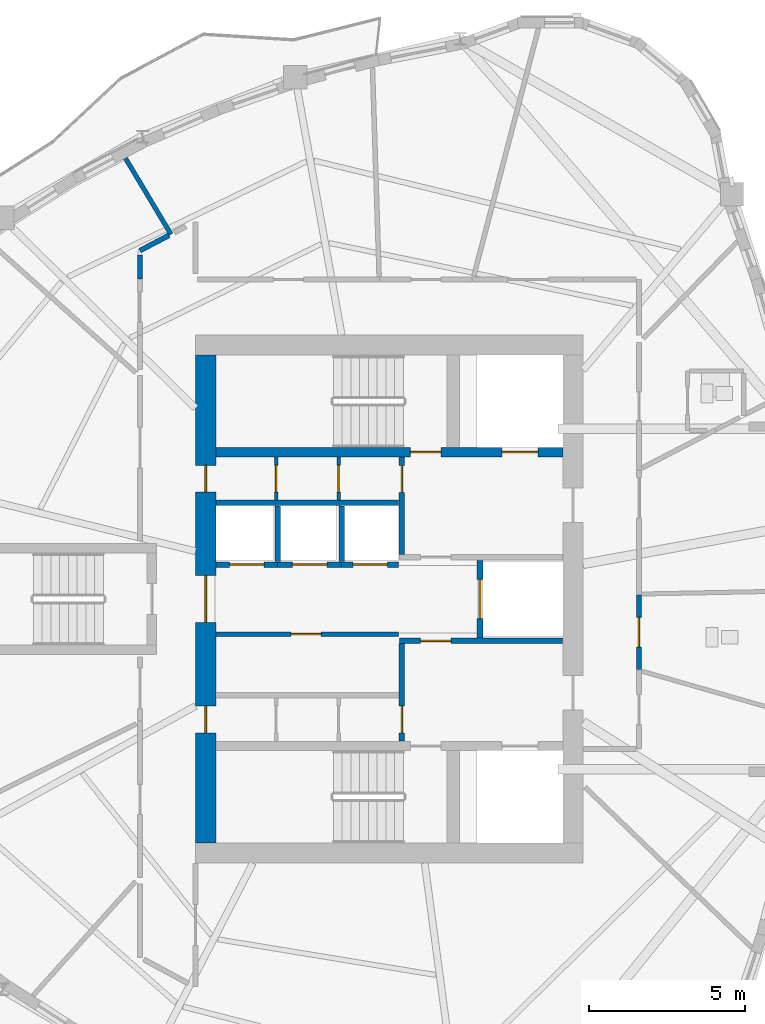
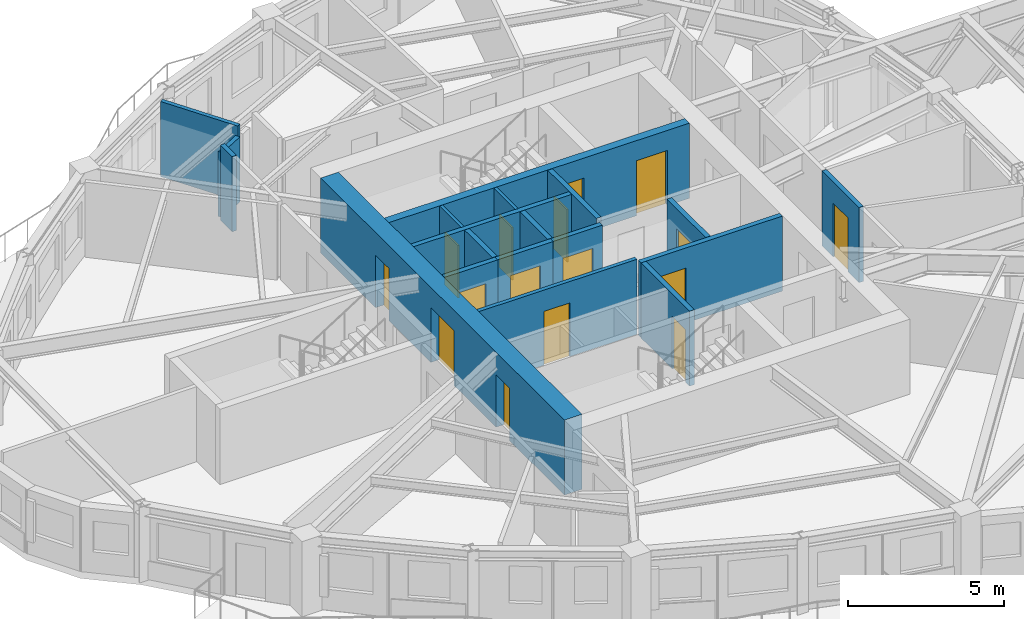
# One storey, part 6 of 13: 19 walls, 16 doors, 16 openings.
"""IFC4 building model written with IfcOpenShell, lengths in metres."""

from ifc_helpers import new_model, si_unit, direction, frame, frame_2d, origin, place, context, subcontext, project, spatial, rectangle, extrude, source, transform, mapped, material, layer, layer_set, type_object, element, fill, save


model = new_model("IFC4")

# Units and contexts
model_context = context("Model", 3, precision=1e-05, world=origin(), true_north=direction((0.0, 1.0)))
body_context = subcontext(model_context, "Body", "Model", "MODEL_VIEW")
ifc_project = project(units=[si_unit("LENGTHUNIT", "METRE"), si_unit("AREAUNIT", "SQUARE_METRE"), si_unit("VOLUMEUNIT", "CUBIC_METRE"), si_unit("PLANEANGLEUNIT", "RADIAN"), si_unit("MASSUNIT", "GRAM", prefix="KILO")], contexts=[model_context])

# Site, building, storey
site_placement = place(None, origin())
site = spatial("IfcSite", under=ifc_project, at=site_placement, CompositionType="ELEMENT")
building_placement = place(site_placement, origin())
building = spatial("IfcBuilding", under=site, at=building_placement, Name="Qafzar Sky-Pleat Residences", CompositionType="ELEMENT")
storey_placement = place(building_placement, frame((0.0, 0.0, 155.39990234375)))
storey = spatial("IfcBuildingStorey", under=building, at=storey_placement, Name="L46", CompositionType="ELEMENT", Elevation=155.39990234375)

# Wall, opening, door
ifc_material_1 = material(Name="Acoustic gypsum plasterboard partition", Category="gypsum")
ifc_layer_1 = layer(ifc_material_1, 0.159912109375)
ifc_layer_set_1 = layer_set([ifc_layer_1], Name="Acoustic gypsum plasterboard partition")
wall_type_1 = type_object("IfcWallType", Name="PART-COR-160", PredefinedType="PARTITIONING", material=ifc_layer_set_1)
wall_1_placement = place(storey_placement, frame((38.330078125, 26.12890625, 0.0), z_axis=(0.0, 0.0, 1.0), x_axis=(0.0, -1.0, 0.0)))
wall_1 = element("IfcWall", 1, at=wall_1_placement, inside=storey, type_object=wall_type_1, Name="L46 Partition Wall PART-L46-PW-012", PredefinedType="PARTITIONING", context=body_context, shape_type="SweptSolid", body=[
    extrude(rectangle(XDim=2.37890625, YDim=0.159912109375, at=frame_2d((1.189453125, 0.0))), origin(), (0.0, 0.0, 1.0), 2.93505859375),
])
opening_1_placement = place(wall_1_placement, frame((0.715087890625, 0.0, 0.0)))
opening_1 = element("IfcOpeningElement", 2, at=opening_1_placement, cuts=wall_1, Name="Opening ID-08", PredefinedType="OPENING", context=body_context, shape_type="SweptSolid", body=[
    extrude(rectangle(XDim=0.949951171875, YDim=2.10009765625, at=frame_2d((0.47509765625, 1.050048828125))), frame((0.0, 0.08984375, 0.0), z_axis=(0.0, -1.0, 0.0), x_axis=(1.0, 0.0, 0.0)), (0.0, 0.0, 1.0), 0.179931640625),
])
ifc_material_2 = material(Name="Timber-faced fire door", Category="wood")
door_type_1 = type_object("IfcDoorType", Name="DR-AWC-950", OperationType="NOTDEFINED", PredefinedType="DOOR", material=ifc_material_2)
shared_shape_1 = source(origin(), body_context, "Body", "SweptSolid", [
    extrude(rectangle(XDim=0.949951171875, YDim=2.10009765625, at=frame_2d((0.47509765625, 1.050048828125))), frame((0.0, 0.02490234375, 0.0), z_axis=(0.0, -1.0, 0.0), x_axis=(1.0, 0.0, 0.0)), (0.0, 0.0, 1.0), 0.050048828125),
])
door_1_placement = place(opening_1_placement, origin())
door_1 = element("IfcDoor", 3, at=door_1_placement, inside=storey, type_object=door_type_1, Name="L46 Accessible Shared Washroom Door", OperationType="SINGLE_SWING_RIGHT", OverallHeight=2.10009765625, OverallWidth=0.949951171875, PredefinedType="DOOR", context=body_context, shape_type="MappedRepresentation", body=[
    mapped(shared_shape_1, transform((0.0, 0.0, 0.0), x_axis=(1.0, 0.0, 0.0), y_axis=(0.0, 1.0, 0.0), z_axis=(0.0, 0.0, 1.0), scale=1.0)),
])
fill(opening_1, door_1)

# Walls
wall_2_placement = place(storey_placement, frame((22.3701171875, 37.14599609375, 0.0), z_axis=(0.0, 0.0, 1.0), x_axis=(0.884530854714, 0.46648168995, 0.0)))
element("IfcWall", 4, at=wall_2_placement, inside=storey, type_object=wall_type_1, Name="L46 Partition Wall PART-L46-PW-041", PredefinedType="PARTITIONING", context=body_context, shape_type="SweptSolid", body=[
    extrude(rectangle(XDim=1.053466796875, YDim=0.159912109375, at=frame_2d((0.52685546875, 0.0))), origin(), (0.0, 0.0, 1.0), 2.543212890625),
])
wall_3_placement = place(storey_placement, frame((22.3701171875, 36.2451171875, 0.0), z_axis=(0.0, 0.0, 1.0), x_axis=(0.0, 1.0, 0.0)))
element("IfcWall", 5, at=wall_3_placement, inside=storey, type_object=wall_type_1, Name="L46 Partition Wall PART-L46-PW-044", PredefinedType="PARTITIONING", context=body_context, shape_type="SweptSolid", body=[
    extrude(rectangle(XDim=0.76025390625, YDim=0.159912109375, at=frame_2d((0.380126953125, 0.0))), origin(), (0.0, 0.0, 1.0), 2.93505859375),
])

# Wall, opening, door
ifc_material_3 = material(Name="Concrete blockwork partition", Category="masonry")
ifc_layer_2 = layer(ifc_material_3, 0.179931640625)
ifc_layer_set_2 = layer_set([ifc_layer_2], Name="Concrete blockwork partition")
wall_type_2 = type_object("IfcWallType", Name="PART-SHAFT-180", PredefinedType="PARTITIONING", material=ifc_layer_set_2)
wall_4_placement = place(storey_placement, frame((30.75, 21.4599609375, 0.0), z_axis=(0.0, 0.0, 1.0), x_axis=(0.0, 1.0, 0.0)))
wall_4 = element("IfcWall", 6, at=wall_4_placement, inside=storey, type_object=wall_type_2, Name="L46 Partition Wall PART-L46-FFL1-W", PredefinedType="PARTITIONING", context=body_context, shape_type="SweptSolid", body=[
    extrude(rectangle(XDim=3.110107421875, YDim=0.179931640625, at=frame_2d((1.55517578125, 0.0))), origin(), (0.0, 0.0, 1.0), 2.93505859375),
])
opening_2_placement = place(wall_4_placement, frame((0.260009765625, 0.0, 0.0)))
opening_2 = element("IfcOpeningElement", 7, at=opening_2_placement, cuts=wall_4, Name="Opening ID-09", PredefinedType="OPENING", context=body_context, shape_type="SweptSolid", body=[
    extrude(rectangle(XDim=0.860107421875, YDim=2.050048828125, at=frame_2d((0.43017578125, 1.02490234375))), frame((0.0, 0.10009765625, 0.0), z_axis=(0.0, -1.0, 0.0), x_axis=(1.0, 0.0, 0.0)), (0.0, 0.0, 1.0), 0.199951171875),
])
door_type_2 = type_object("IfcDoorType", Name="DR-SVC-860", OperationType="NOTDEFINED", PredefinedType="DOOR", material=ifc_material_2)
shared_shape_2 = source(origin(), body_context, "Body", "SweptSolid", [
    extrude(rectangle(XDim=0.860107421875, YDim=2.050048828125, at=frame_2d((0.43017578125, 1.02490234375))), frame((0.0, 0.02490234375, 0.0), z_axis=(0.0, -1.0, 0.0), x_axis=(1.0, 0.0, 0.0)), (0.0, 0.0, 1.0), 0.050048828125),
])
door_2_placement = place(opening_2_placement, origin())
door_2 = element("IfcDoor", 8, at=door_2_placement, inside=storey, type_object=door_type_2, Name="L46 South Core Cupboard Door", OperationType="SINGLE_SWING_LEFT", OverallHeight=2.050048828125, OverallWidth=0.860107421875, PredefinedType="DOOR", context=body_context, shape_type="MappedRepresentation", body=[
    mapped(shared_shape_2, transform((0.0, 0.0, 0.0), x_axis=(1.0, 0.0, 0.0), y_axis=(0.0, 1.0, 0.0), z_axis=(0.0, 0.0, 1.0), scale=1.0)),
])
fill(opening_2, door_2)

wall_5_placement = place(storey_placement, frame((30.669921875, 24.659912109375, 0.0), z_axis=(0.0, 0.0, 1.0), x_axis=(1.0, 0.0, 0.0)))
wall_5 = element("IfcWall", 9, at=wall_5_placement, inside=storey, type_object=wall_type_2, Name="L46 Partition Wall PART-L46-FFL1-N", PredefinedType="PARTITIONING", context=body_context, shape_type="SweptSolid", body=[
    extrude(rectangle(XDim=5.219970703125, YDim=0.179931640625, at=frame_2d((2.60986328125, 0.0))), origin(), (0.0, 0.0, 1.0), 2.93505859375),
])
opening_3_placement = place(wall_5_placement, frame((0.679931640625, 0.0, 0.0)))
opening_3 = element("IfcOpeningElement", 10, at=opening_3_placement, cuts=wall_5, Name="Opening ID-01", PredefinedType="OPENING", context=body_context, shape_type="SweptSolid", body=[
    extrude(rectangle(XDim=0.97998046875, YDim=2.14990234375, at=frame_2d((0.489990234375, 1.074951171875))), frame((0.0, 0.10009765625, 0.0), z_axis=(0.0, -1.0, 0.0), x_axis=(1.0, 0.0, 0.0)), (0.0, 0.0, 1.0), 0.199951171875),
])
door_type_3 = type_object("IfcDoorType", Name="DR-STAIR-980", OperationType="NOTDEFINED", PredefinedType="DOOR", material=ifc_material_2)
shared_shape_3 = source(origin(), body_context, "Body", "SweptSolid", [
    extrude(rectangle(XDim=0.97998046875, YDim=2.14990234375, at=frame_2d((0.489990234375, 1.074951171875))), frame((0.0, 0.02490234375, 0.0), z_axis=(0.0, -1.0, 0.0), x_axis=(1.0, 0.0, 0.0)), (0.0, 0.0, 1.0), 0.050048828125),
])
door_3_placement = place(opening_3_placement, origin())
door_3 = element("IfcDoor", 11, at=door_3_placement, inside=storey, type_object=door_type_3, Name="L46 Lift Lobby to South Firefighting Lobby Door", OperationType="SINGLE_SWING_RIGHT", OverallHeight=2.14990234375, OverallWidth=0.97998046875, PredefinedType="DOOR", context=body_context, shape_type="MappedRepresentation", body=[
    mapped(shared_shape_3, transform((0.0, 0.0, 0.0), x_axis=(1.0, 0.0, 0.0), y_axis=(0.0, 1.0, 0.0), z_axis=(0.0, 0.0, 1.0), scale=1.0)),
])
fill(opening_3, door_3)

wall_6_placement = place(storey_placement, frame((30.75, 27.429931640625, 0.0), z_axis=(0.0, 0.0, 1.0), x_axis=(0.0, 1.0, 0.0)))
wall_6 = element("IfcWall", 12, at=wall_6_placement, inside=storey, type_object=wall_type_2, Name="L46 Partition Wall PART-L46-FFL2-W", PredefinedType="PARTITIONING", context=body_context, shape_type="SweptSolid", body=[
    extrude(rectangle(XDim=3.110107421875, YDim=0.179931640625, at=frame_2d((1.55517578125, 0.0))), origin(), (0.0, 0.0, 1.0), 2.93505859375),
])
opening_4_placement = place(wall_6_placement, frame((1.97998046875, 0.0, 0.0)))
opening_4 = element("IfcOpeningElement", 13, at=opening_4_placement, cuts=wall_6, Name="Opening ID-09", PredefinedType="OPENING", context=body_context, shape_type="SweptSolid", body=[
    extrude(rectangle(XDim=0.860107421875, YDim=2.050048828125, at=frame_2d((0.43017578125, 1.02490234375))), frame((0.0, 0.10009765625, 0.0), z_axis=(0.0, -1.0, 0.0), x_axis=(1.0, 0.0, 0.0)), (0.0, 0.0, 1.0), 0.199951171875),
])
door_4_placement = place(opening_4_placement, origin())
door_4 = element("IfcDoor", 14, at=door_4_placement, inside=storey, type_object=door_type_2, Name="L46 North Core Cupboard Door", OperationType="SINGLE_SWING_LEFT", OverallHeight=2.050048828125, OverallWidth=0.860107421875, PredefinedType="DOOR", context=body_context, shape_type="MappedRepresentation", body=[
    mapped(shared_shape_2, transform((0.0, 0.0, 0.0), x_axis=(1.0, 0.0, 0.0), y_axis=(0.0, 1.0, 0.0), z_axis=(0.0, 0.0, 1.0), scale=1.0)),
])
fill(opening_4, door_4)

wall_7_placement = place(storey_placement, frame((33.25, 24.760009765625, 0.0), z_axis=(0.0, 0.0, 1.0), x_axis=(0.0, 1.0, 0.0)))
wall_7 = element("IfcWall", 15, at=wall_7_placement, inside=storey, type_object=wall_type_2, Name="L46 Partition Wall PART-L46-SV1-W", PredefinedType="PARTITIONING", context=body_context, shape_type="SweptSolid", body=[
    extrude(rectangle(XDim=2.47998046875, YDim=0.179931640625, at=frame_2d((1.239990234375, 0.0))), origin(), (0.0, 0.0, 1.0), 2.93505859375),
])
opening_5_placement = place(wall_7_placement, frame((0.614990234375, 0.0, 0.0)))
opening_5 = element("IfcOpeningElement", 16, at=opening_5_placement, cuts=wall_7, Name="Opening LD-03", PredefinedType="OPENING", context=body_context, shape_type="SweptSolid", body=[
    extrude(rectangle(XDim=1.25, YDim=2.14990234375, at=frame_2d((0.625, 1.074951171875))), frame((0.0, 0.10009765625, 0.0), z_axis=(0.0, -1.0, 0.0), x_axis=(1.0, 0.0, 0.0)), (0.0, 0.0, 1.0), 0.199951171875),
])
ifc_material_4 = material(Name="Stainless steel sliding landing door", Category="steel")
door_type_4 = type_object("IfcDoorType", Name="DR-LIFT-SV", OperationType="DOUBLE_DOOR_SLIDING", PredefinedType="DOOR", material=ifc_material_4)
shared_shape_4 = source(origin(), body_context, "Body", "SweptSolid", [
    extrude(rectangle(XDim=1.25, YDim=2.14990234375, at=frame_2d((0.625, 1.074951171875))), frame((0.0, 0.02490234375, 0.0), z_axis=(0.0, -1.0, 0.0), x_axis=(1.0, 0.0, 0.0)), (0.0, 0.0, 1.0), 0.050048828125),
])
door_5_placement = place(opening_5_placement, origin())
door_5 = element("IfcDoor", 17, at=door_5_placement, inside=storey, type_object=door_type_4, Name="L46 Service Lift SV1 Landing Door", OperationType="DOUBLE_DOOR_SLIDING", OverallHeight=2.14990234375, OverallWidth=1.25, PredefinedType="DOOR", context=body_context, shape_type="MappedRepresentation", body=[
    mapped(shared_shape_4, transform((0.0, 0.0, 0.0), x_axis=(1.0, 0.0, 0.0), y_axis=(0.0, 1.0, 0.0), z_axis=(0.0, 0.0, 1.0), scale=1.0)),
])
fill(opening_5, door_5)

# Wall
wall_8_placement = place(storey_placement, frame((24.81005859375, 29.080078125, 0.0), z_axis=(0.0, 0.0, 1.0), x_axis=(1.0, 0.0, 0.0)))
element("IfcWall", 18, at=wall_8_placement, inside=storey, type_object=wall_type_2, Name="L46 Partition Wall PART-L46-P46-N", PredefinedType="PARTITIONING", context=body_context, shape_type="SweptSolid", body=[
    extrude(rectangle(XDim=5.83984375, YDim=0.179931640625, at=frame_2d((2.919921875, 0.0))), origin(), (0.0, 0.0, 1.0), 2.93505859375),
])

# Wall, opening, door
wall_9_placement = place(storey_placement, frame((24.81005859375, 27.10009765625, 0.0), z_axis=(0.0, 0.0, 1.0), x_axis=(1.0, 0.0, 0.0)))
wall_9 = element("IfcWall", 19, at=wall_9_placement, inside=storey, type_object=wall_type_2, Name="L46 Partition Wall PART-L46-P4-S", PredefinedType="PARTITIONING", context=body_context, shape_type="SweptSolid", body=[
    extrude(rectangle(XDim=1.96484375, YDim=0.179931640625, at=frame_2d((0.982421875, 0.0))), origin(), (0.0, 0.0, 1.0), 2.93505859375),
])
opening_6_placement = place(wall_9_placement, frame((0.4326171875, 0.0, 0.0)))
opening_6 = element("IfcOpeningElement", 20, at=opening_6_placement, cuts=wall_9, Name="Opening LD-01", PredefinedType="OPENING", context=body_context, shape_type="SweptSolid", body=[
    extrude(rectangle(XDim=1.10009765625, YDim=2.14990234375, at=frame_2d((0.550048828125, 1.074951171875))), frame((0.0, 0.10009765625, 0.0), z_axis=(0.0, -1.0, 0.0), x_axis=(1.0, 0.0, 0.0)), (0.0, 0.0, 1.0), 0.199951171875),
])
door_type_5 = type_object("IfcDoorType", Name="DR-LIFT-P", OperationType="DOUBLE_DOOR_SLIDING", PredefinedType="DOOR", material=ifc_material_4)
shared_shape_5 = source(origin(), body_context, "Body", "SweptSolid", [
    extrude(rectangle(XDim=1.10009765625, YDim=2.14990234375, at=frame_2d((0.550048828125, 1.074951171875))), frame((0.0, 0.02490234375, 0.0), z_axis=(0.0, -1.0, 0.0), x_axis=(1.0, 0.0, 0.0)), (0.0, 0.0, 1.0), 0.050048828125),
])
door_6_placement = place(opening_6_placement, origin())
door_6 = element("IfcDoor", 21, at=door_6_placement, inside=storey, type_object=door_type_5, Name="L46 Passenger Lift P4 Landing Door", OperationType="DOUBLE_DOOR_SLIDING", OverallHeight=2.14990234375, OverallWidth=1.10009765625, PredefinedType="DOOR", context=body_context, shape_type="MappedRepresentation", body=[
    mapped(shared_shape_5, transform((0.0, 0.0, 0.0), x_axis=(1.0, 0.0, 0.0), y_axis=(0.0, 1.0, 0.0), z_axis=(0.0, 0.0, 1.0), scale=1.0)),
])
fill(opening_6, door_6)

wall_10_placement = place(storey_placement, frame((26.77490234375, 27.10009765625, 0.0), z_axis=(0.0, 0.0, 1.0), x_axis=(1.0, 0.0, 0.0)))
wall_10 = element("IfcWall", 22, at=wall_10_placement, inside=storey, type_object=wall_type_2, Name="L46 Partition Wall PART-L46-P5-S", PredefinedType="PARTITIONING", context=body_context, shape_type="SweptSolid", body=[
    extrude(rectangle(XDim=2.050048828125, YDim=0.179931640625, at=frame_2d((1.02490234375, 0.0))), origin(), (0.0, 0.0, 1.0), 2.93505859375),
])
opening_7_placement = place(wall_10_placement, frame((0.47509765625, 0.0, 0.0)))
opening_7 = element("IfcOpeningElement", 23, at=opening_7_placement, cuts=wall_10, Name="Opening LD-01", PredefinedType="OPENING", context=body_context, shape_type="SweptSolid", body=[
    extrude(rectangle(XDim=1.10009765625, YDim=2.14990234375, at=frame_2d((0.550048828125, 1.074951171875))), frame((0.0, 0.10009765625, 0.0), z_axis=(0.0, -1.0, 0.0), x_axis=(1.0, 0.0, 0.0)), (0.0, 0.0, 1.0), 0.199951171875),
])
door_7_placement = place(opening_7_placement, origin())
door_7 = element("IfcDoor", 24, at=door_7_placement, inside=storey, type_object=door_type_5, Name="L46 Passenger Lift P5 Landing Door", OperationType="DOUBLE_DOOR_SLIDING", OverallHeight=2.14990234375, OverallWidth=1.10009765625, PredefinedType="DOOR", context=body_context, shape_type="MappedRepresentation", body=[
    mapped(shared_shape_5, transform((0.0, 0.0, 0.0), x_axis=(1.0, 0.0, 0.0), y_axis=(0.0, 1.0, 0.0), z_axis=(0.0, 0.0, 1.0), scale=1.0)),
])
fill(opening_7, door_7)

# Wall
wall_11_placement = place(storey_placement, frame((26.77490234375, 27.199951171875, 0.0), z_axis=(0.0, 0.0, 1.0), x_axis=(0.0, 1.0, 0.0)))
element("IfcWall", 25, at=wall_11_placement, inside=storey, type_object=wall_type_2, Name="L46 Partition Wall PART-L46-P46-DIV-1", PredefinedType="PARTITIONING", context=body_context, shape_type="SweptSolid", body=[
    extrude(rectangle(XDim=1.780029296875, YDim=0.179931640625, at=frame_2d((0.89013671875, 0.0))), origin(), (0.0, 0.0, 1.0), 2.93505859375),
])

# Wall, opening, door
wall_12_placement = place(storey_placement, frame((28.824951171875, 27.10009765625, 0.0), z_axis=(0.0, 0.0, 1.0), x_axis=(1.0, 0.0, 0.0)))
wall_12 = element("IfcWall", 26, at=wall_12_placement, inside=storey, type_object=wall_type_2, Name="L46 Partition Wall PART-L46-P6-S", PredefinedType="PARTITIONING", context=body_context, shape_type="SweptSolid", body=[
    extrude(rectangle(XDim=1.824951171875, YDim=0.179931640625, at=frame_2d((0.91259765625, 0.0))), origin(), (0.0, 0.0, 1.0), 2.93505859375),
])
opening_8_placement = place(wall_12_placement, frame((0.362548828125, 0.0, 0.0)))
opening_8 = element("IfcOpeningElement", 27, at=opening_8_placement, cuts=wall_12, Name="Opening LD-01", PredefinedType="OPENING", context=body_context, shape_type="SweptSolid", body=[
    extrude(rectangle(XDim=1.10009765625, YDim=2.14990234375, at=frame_2d((0.550048828125, 1.074951171875))), frame((0.0, 0.10009765625, 0.0), z_axis=(0.0, -1.0, 0.0), x_axis=(1.0, 0.0, 0.0)), (0.0, 0.0, 1.0), 0.199951171875),
])
door_8_placement = place(opening_8_placement, origin())
door_8 = element("IfcDoor", 28, at=door_8_placement, inside=storey, type_object=door_type_5, Name="L46 Passenger Lift P6 Landing Door", OperationType="DOUBLE_DOOR_SLIDING", OverallHeight=2.14990234375, OverallWidth=1.10009765625, PredefinedType="DOOR", context=body_context, shape_type="MappedRepresentation", body=[
    mapped(shared_shape_5, transform((0.0, 0.0, 0.0), x_axis=(1.0, 0.0, 0.0), y_axis=(0.0, 1.0, 0.0), z_axis=(0.0, 0.0, 1.0), scale=1.0)),
])
fill(opening_8, door_8)

# Wall
wall_13_placement = place(storey_placement, frame((28.824951171875, 27.199951171875, 0.0), z_axis=(0.0, 0.0, 1.0), x_axis=(0.0, 1.0, 0.0)))
element("IfcWall", 29, at=wall_13_placement, inside=storey, type_object=wall_type_2, Name="L46 Partition Wall PART-L46-P46-DIV-2", PredefinedType="PARTITIONING", context=body_context, shape_type="SweptSolid", body=[
    extrude(rectangle(XDim=1.780029296875, YDim=0.179931640625, at=frame_2d((0.89013671875, 0.0))), origin(), (0.0, 0.0, 1.0), 2.93505859375),
])

# Wall, opening, door
ifc_material_5 = material(Name="Gypsum plasterboard partition", Category="gypsum")
ifc_layer_3 = layer(ifc_material_5, 0.114990234375)
ifc_layer_set_3 = layer_set([ifc_layer_3], Name="Gypsum plasterboard partition")
wall_type_3 = type_object("IfcWallType", Name="PART-SVC-115", PredefinedType="PARTITIONING", material=ifc_layer_set_3)
wall_14_placement = place(storey_placement, frame((26.72509765625, 29.159912109375, 0.0), z_axis=(0.0, 0.0, 1.0), x_axis=(0.0, 1.0, 0.0)))
wall_14 = element("IfcWall", 30, at=wall_14_placement, inside=storey, type_object=wall_type_3, Name="L46 Partition Wall PART-L46-KC-NW-1", PredefinedType="PARTITIONING", context=body_context, shape_type="SweptSolid", body=[
    extrude(rectangle(XDim=1.380126953125, YDim=0.114990234375, at=frame_2d((0.68994140625, 0.0))), origin(), (0.0, 0.0, 1.0), 2.93505859375),
])
opening_9_placement = place(wall_14_placement, frame((0.260009765625, 0.0, 0.0)))
opening_9 = element("IfcOpeningElement", 31, at=opening_9_placement, cuts=wall_14, Name="Opening ID-09", PredefinedType="OPENING", context=body_context, shape_type="SweptSolid", body=[
    extrude(rectangle(XDim=0.860107421875, YDim=2.050048828125, at=frame_2d((0.43017578125, 1.02490234375))), frame((0.0, 0.0673828125, 0.0), z_axis=(0.0, -1.0, 0.0), x_axis=(1.0, 0.0, 0.0)), (0.0, 0.0, 1.0), 0.135009765625),
])
door_9_placement = place(opening_9_placement, origin())
door_9 = element("IfcDoor", 32, at=door_9_placement, inside=storey, type_object=door_type_2, Name="L46 Core North Cupboard 1 Door", OperationType="SINGLE_SWING_LEFT", OverallHeight=2.050048828125, OverallWidth=0.860107421875, PredefinedType="DOOR", context=body_context, shape_type="MappedRepresentation", body=[
    mapped(shared_shape_2, transform((0.0, 0.0, 0.0), x_axis=(1.0, 0.0, 0.0), y_axis=(0.0, 1.0, 0.0), z_axis=(0.0, 0.0, 1.0), scale=1.0)),
])
fill(opening_9, door_9)

wall_15_placement = place(storey_placement, frame((28.72509765625, 29.159912109375, 0.0), z_axis=(0.0, 0.0, 1.0), x_axis=(0.0, 1.0, 0.0)))
wall_15 = element("IfcWall", 33, at=wall_15_placement, inside=storey, type_object=wall_type_3, Name="L46 Partition Wall PART-L46-KC-NW-2", PredefinedType="PARTITIONING", context=body_context, shape_type="SweptSolid", body=[
    extrude(rectangle(XDim=1.380126953125, YDim=0.114990234375, at=frame_2d((0.68994140625, 0.0))), origin(), (0.0, 0.0, 1.0), 2.93505859375),
])
opening_10_placement = place(wall_15_placement, frame((0.260009765625, 0.0, 0.0)))
opening_10 = element("IfcOpeningElement", 34, at=opening_10_placement, cuts=wall_15, Name="Opening ID-09", PredefinedType="OPENING", context=body_context, shape_type="SweptSolid", body=[
    extrude(rectangle(XDim=0.860107421875, YDim=2.050048828125, at=frame_2d((0.43017578125, 1.02490234375))), frame((0.0, 0.0673828125, 0.0), z_axis=(0.0, -1.0, 0.0), x_axis=(1.0, 0.0, 0.0)), (0.0, 0.0, 1.0), 0.135009765625),
])
door_10_placement = place(opening_10_placement, origin())
door_10 = element("IfcDoor", 35, at=door_10_placement, inside=storey, type_object=door_type_2, Name="L46 Core North Cupboard 2 Door", OperationType="SINGLE_SWING_LEFT", OverallHeight=2.050048828125, OverallWidth=0.860107421875, PredefinedType="DOOR", context=body_context, shape_type="MappedRepresentation", body=[
    mapped(shared_shape_2, transform((0.0, 0.0, 0.0), x_axis=(1.0, 0.0, 0.0), y_axis=(0.0, 1.0, 0.0), z_axis=(0.0, 0.0, 1.0), scale=1.0)),
])
fill(opening_10, door_10)

ifc_layer_4 = layer(ifc_material_1, 0.14501953125)
ifc_layer_set_4 = layer_set([ifc_layer_4], Name="Acoustic gypsum plasterboard partition")
wall_type_4 = type_object("IfcWallType", Name="PART-UNIT-145", PredefinedType="PARTITIONING", material=ifc_layer_set_4)
wall_16_placement = place(storey_placement, frame((24.81005859375, 24.8798828125, 0.0), z_axis=(0.0, 0.0, 1.0), x_axis=(1.0, 0.0, 0.0)))
wall_16 = element("IfcWall", 36, at=wall_16_placement, inside=storey, type_object=wall_type_4, Name="L46 Partition Wall PART-L46-RECLAIM-N", PredefinedType="PARTITIONING", context=body_context, shape_type="SweptSolid", body=[
    extrude(rectangle(XDim=5.83984375, YDim=0.14501953125, at=frame_2d((2.919921875, 0.0))), origin(), (0.0, 0.0, 1.0), 2.93505859375),
])
opening_11_placement = place(wall_16_placement, frame((2.39990234375, 0.0, 0.0)))
opening_11 = element("IfcOpeningElement", 37, at=opening_11_placement, cuts=wall_16, Name="Opening ID-06", PredefinedType="OPENING", context=body_context, shape_type="SweptSolid", body=[
    extrude(rectangle(XDim=0.9599609375, YDim=2.10009765625, at=frame_2d((0.47998046875, 1.050048828125))), frame((0.0, 0.08251953125, 0.0), z_axis=(0.0, -1.0, 0.0), x_axis=(1.0, 0.0, 0.0)), (0.0, 0.0, 1.0), 0.1650390625),
])
door_type_6 = type_object("IfcDoorType", Name="DR-STD-960", OperationType="NOTDEFINED", PredefinedType="DOOR", material=ifc_material_2)
shared_shape_6 = source(origin(), body_context, "Body", "SweptSolid", [
    extrude(rectangle(XDim=0.9599609375, YDim=2.10009765625, at=frame_2d((0.47998046875, 1.050048828125))), frame((0.0, 0.02490234375, 0.0), z_axis=(0.0, -1.0, 0.0), x_axis=(1.0, 0.0, 0.0)), (0.0, 0.0, 1.0), 0.050048828125),
])
door_11_placement = place(opening_11_placement, origin())
door_11 = element("IfcDoor", 38, at=door_11_placement, inside=storey, type_object=door_type_6, Name="L46 Reclaimed Resident Laundry Room Door", OperationType="SINGLE_SWING_LEFT", OverallHeight=2.10009765625, OverallWidth=0.9599609375, PredefinedType="DOOR", context=body_context, shape_type="MappedRepresentation", body=[
    mapped(shared_shape_6, transform((0.0, 0.0, 0.0), x_axis=(1.0, 0.0, 0.0), y_axis=(0.0, 1.0, 0.0), z_axis=(0.0, 0.0, 1.0), scale=1.0)),
])
fill(opening_11, door_11)

# Wall
wall_17_placement = place(storey_placement, frame((21.908447265625, 40.10009765625, 0.0), z_axis=(0.0, 0.0, 1.0), x_axis=(0.513582752497, -0.85804006686, 0.0)))
element("IfcWall", 39, at=wall_17_placement, inside=storey, type_object=wall_type_4, Name="L46 Partition Wall PART-L46-PW-026", PredefinedType="PARTITIONING", context=body_context, shape_type="SweptSolid", body=[
    extrude(rectangle(XDim=2.832275390625, YDim=0.14501953125, at=frame_2d((1.416015625, 0.0))), origin(), (0.0, 0.0, 1.0), 2.93505859375),
])

# Wall, openings, doors
ifc_material_6 = material(Name="Concrete C60/75", Category="concrete")
ifc_layer_5 = layer(ifc_material_6, 0.300048828125)
ifc_layer_set_5 = layer_set([ifc_layer_5], Name="Concrete C60/75")
wall_type_5 = type_object("IfcWallType", Name="WALL-SHEAR-300", PredefinedType="SHEAR", material=ifc_layer_set_5)
wall_18_placement = place(storey_placement, frame((24.800048828125, 30.699951171875, 0.0), z_axis=(0.0, 0.0, 1.0), x_axis=(1.0, 0.0, 0.0)))
wall_18 = element("IfcWall", 40, at=wall_18_placement, inside=storey, type_object=wall_type_5, Name="L46 Stair ST2 and FF2 Shaft South Wall", PredefinedType="SHEAR", context=body_context, shape_type="SweptSolid", body=[
    extrude(rectangle(XDim=11.099853515625, YDim=0.300048828125, at=frame_2d((5.5498046875, 0.0))), origin(), (0.0, 0.0, 1.0), 2.93505859375),
])
opening_12_placement = place(wall_18_placement, frame((6.219970703125, 0.0, 0.0)))
opening_12 = element("IfcOpeningElement", 41, at=opening_12_placement, cuts=wall_18, Name="Opening ID-01", PredefinedType="OPENING", context=body_context, shape_type="SweptSolid", body=[
    extrude(rectangle(XDim=0.97998046875, YDim=2.14990234375, at=frame_2d((0.489990234375, 1.074951171875))), frame((0.0, 0.16015625, 0.0), z_axis=(0.0, -1.0, 0.0), x_axis=(1.0, 0.0, 0.0)), (0.0, 0.0, 1.0), 0.320068359375),
])
opening_13_placement = place(wall_18_placement, frame((9.14990234375, 0.0, 0.0)))
opening_13 = element("IfcOpeningElement", 42, at=opening_13_placement, cuts=wall_18, Name="Opening LD-02", PredefinedType="OPENING", context=body_context, shape_type="SweptSolid", body=[
    extrude(rectangle(XDim=1.14990234375, YDim=2.14990234375, at=frame_2d((0.574951171875, 1.074951171875))), frame((0.0, 0.16015625, 0.0), z_axis=(0.0, -1.0, 0.0), x_axis=(1.0, 0.0, 0.0)), (0.0, 0.0, 1.0), 0.320068359375),
])
door_12_placement = place(opening_12_placement, origin())
door_12 = element("IfcDoor", 43, at=door_12_placement, inside=storey, type_object=door_type_3, Name="L46 Stair ST2 Fire Door", OperationType="SINGLE_SWING_LEFT", OverallHeight=2.14990234375, OverallWidth=0.97998046875, PredefinedType="DOOR", context=body_context, shape_type="MappedRepresentation", body=[
    mapped(shared_shape_3, transform((0.0, 0.0, 0.0), x_axis=(1.0, 0.0, 0.0), y_axis=(0.0, 1.0, 0.0), z_axis=(0.0, 0.0, 1.0), scale=1.0)),
])
fill(opening_12, door_12)
door_type_7 = type_object("IfcDoorType", Name="DR-LIFT-FF", OperationType="DOUBLE_DOOR_SLIDING", PredefinedType="DOOR", material=ifc_material_4)
shared_shape_7 = source(origin(), body_context, "Body", "SweptSolid", [
    extrude(rectangle(XDim=1.14990234375, YDim=2.14990234375, at=frame_2d((0.574951171875, 1.074951171875))), frame((0.0, 0.02490234375, 0.0), z_axis=(0.0, -1.0, 0.0), x_axis=(1.0, 0.0, 0.0)), (0.0, 0.0, 1.0), 0.050048828125),
])
door_13_placement = place(opening_13_placement, origin())
door_13 = element("IfcDoor", 44, at=door_13_placement, inside=storey, type_object=door_type_7, Name="L46 Firefighting Lift FF2 Landing Door", OperationType="DOUBLE_DOOR_SLIDING", OverallHeight=2.14990234375, OverallWidth=1.14990234375, PredefinedType="DOOR", context=body_context, shape_type="MappedRepresentation", body=[
    mapped(shared_shape_7, transform((0.0, 0.0, 0.0), x_axis=(1.0, 0.0, 0.0), y_axis=(0.0, 1.0, 0.0), z_axis=(0.0, 0.0, 1.0), scale=1.0)),
])
fill(opening_13, door_13)

ifc_layer_6 = layer(ifc_material_6, 0.64990234375)
ifc_layer_set_6 = layer_set([ifc_layer_6], Name="Concrete C60/75")
wall_type_6 = type_object("IfcWallType", Name="WALL-SHEAR-650", PredefinedType="SHEAR", material=ifc_layer_set_6)
wall_19_placement = place(storey_placement, frame((24.47509765625, 33.800048828125, 0.0), z_axis=(0.0, 0.0, 1.0), x_axis=(0.0, -1.0, 0.0)))
wall_19 = element("IfcWall", 45, at=wall_19_placement, inside=storey, type_object=wall_type_6, Name="L46 CORE wall W", PredefinedType="SHEAR", context=body_context, shape_type="SweptSolid", body=[
    extrude(rectangle(XDim=15.60009765625, YDim=0.64990234375, at=frame_2d((7.800048828125, 0.0))), origin(), (0.0, 0.0, 1.0), 2.93505859375),
])
opening_14_placement = place(wall_19_placement, frame((7.050048828125, 0.0, 0.0)))
opening_14 = element("IfcOpeningElement", 46, at=opening_14_placement, cuts=wall_19, Name="Opening ID-03", PredefinedType="OPENING", context=body_context, shape_type="SweptSolid", body=[
    extrude(rectangle(XDim=1.5, YDim=2.14990234375, at=frame_2d((0.75, 1.074951171875))), frame((0.0, 0.3349609375, 0.0), z_axis=(0.0, -1.0, 0.0), x_axis=(1.0, 0.0, 0.0)), (0.0, 0.0, 1.0), 0.669921875),
])
opening_15_placement = place(wall_19_placement, frame((3.52001953125, 0.0, 0.0)))
opening_15 = element("IfcOpeningElement", 47, at=opening_15_placement, cuts=wall_19, Name="Opening ID-09", PredefinedType="OPENING", context=body_context, shape_type="SweptSolid", body=[
    extrude(rectangle(XDim=0.860107421875, YDim=2.050048828125, at=frame_2d((0.43017578125, 1.02490234375))), frame((0.0, 0.3349609375, 0.0), z_axis=(0.0, -1.0, 0.0), x_axis=(1.0, 0.0, 0.0)), (0.0, 0.0, 1.0), 0.669921875),
])
opening_16_placement = place(wall_19_placement, frame((11.219970703125, 0.0, 0.0)))
opening_16 = element("IfcOpeningElement", 48, at=opening_16_placement, cuts=wall_19, Name="Opening ID-09", PredefinedType="OPENING", context=body_context, shape_type="SweptSolid", body=[
    extrude(rectangle(XDim=0.860107421875, YDim=2.050048828125, at=frame_2d((0.43017578125, 1.02490234375))), frame((0.0, 0.3349609375, 0.0), z_axis=(0.0, -1.0, 0.0), x_axis=(1.0, 0.0, 0.0)), (0.0, 0.0, 1.0), 0.669921875),
])
door_type_8 = type_object("IfcDoorType", Name="DR-COR-1500", OperationType="DOUBLE_DOOR_SINGLE_SWING", PredefinedType="DOOR", material=ifc_material_2)
shared_shape_8 = source(origin(), body_context, "Body", "SweptSolid", [
    extrude(rectangle(XDim=1.5, YDim=2.14990234375, at=frame_2d((0.75, 1.074951171875))), frame((0.0, 0.02490234375, 0.0), z_axis=(0.0, -1.0, 0.0), x_axis=(1.0, 0.0, 0.0)), (0.0, 0.0, 1.0), 0.050048828125),
])
door_14_placement = place(opening_14_placement, origin())
door_14 = element("IfcDoor", 49, at=door_14_placement, inside=storey, type_object=door_type_8, Name="L46 Lift Lobby West Double Door", OperationType="DOUBLE_DOOR_SINGLE_SWING", OverallHeight=2.14990234375, OverallWidth=1.5, PredefinedType="DOOR", context=body_context, shape_type="MappedRepresentation", body=[
    mapped(shared_shape_8, transform((0.0, 0.0, 0.0), x_axis=(1.0, 0.0, 0.0), y_axis=(0.0, 1.0, 0.0), z_axis=(0.0, 0.0, 1.0), scale=1.0)),
])
fill(opening_14, door_14)
door_15_placement = place(opening_15_placement, origin())
door_15 = element("IfcDoor", 50, at=door_15_placement, inside=storey, type_object=door_type_2, Name="L46 Core North-West Service Door", OperationType="SINGLE_SWING_LEFT", OverallHeight=2.050048828125, OverallWidth=0.860107421875, PredefinedType="DOOR", context=body_context, shape_type="MappedRepresentation", body=[
    mapped(shared_shape_2, transform((0.0, 0.0, 0.0), x_axis=(1.0, 0.0, 0.0), y_axis=(0.0, 1.0, 0.0), z_axis=(0.0, 0.0, 1.0), scale=1.0)),
])
fill(opening_15, door_15)
door_16_placement = place(opening_16_placement, origin())
door_16 = element("IfcDoor", 51, at=door_16_placement, inside=storey, type_object=door_type_2, Name="L46 Core South-West Service Door", OperationType="SINGLE_SWING_RIGHT", OverallHeight=2.050048828125, OverallWidth=0.860107421875, PredefinedType="DOOR", context=body_context, shape_type="MappedRepresentation", body=[
    mapped(shared_shape_2, transform((0.0, 0.0, 0.0), x_axis=(1.0, 0.0, 0.0), y_axis=(0.0, 1.0, 0.0), z_axis=(0.0, 0.0, 1.0), scale=1.0)),
])
fill(opening_16, door_16)

save(model, "model.ifc")
